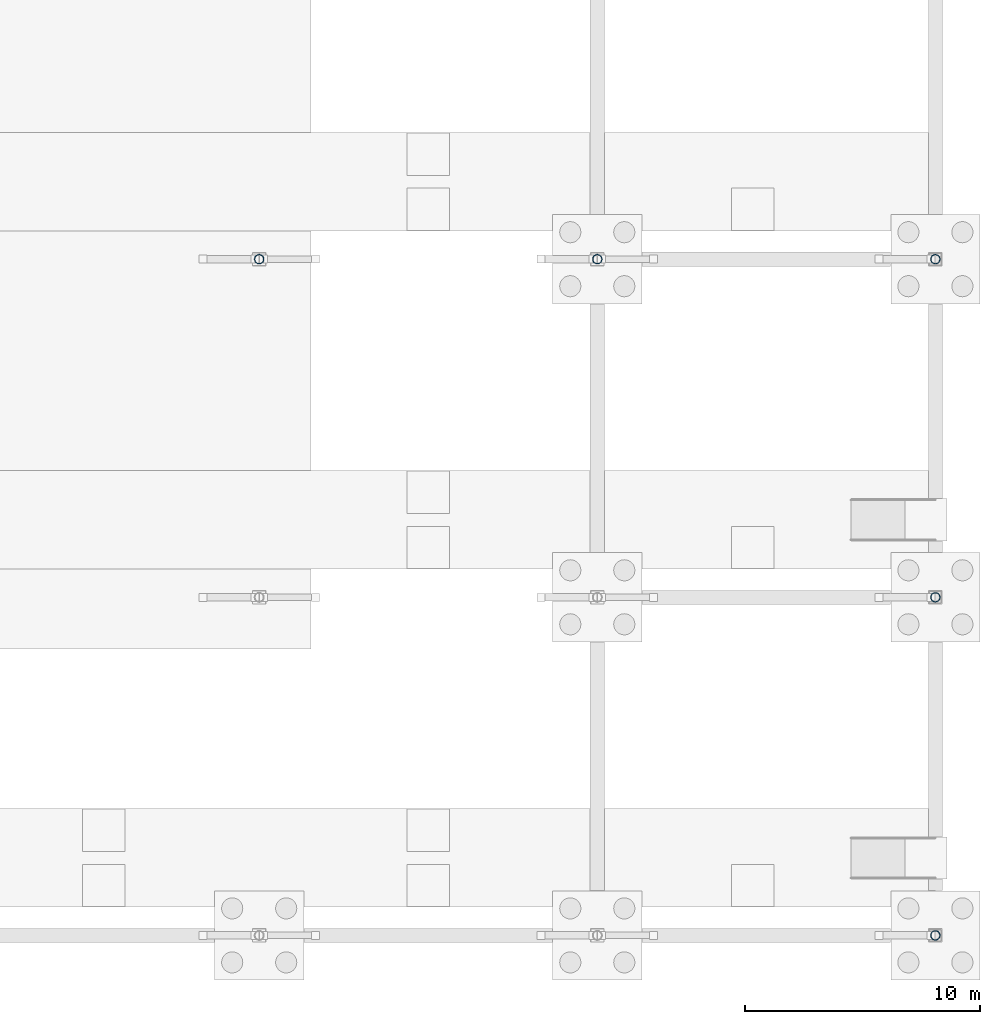
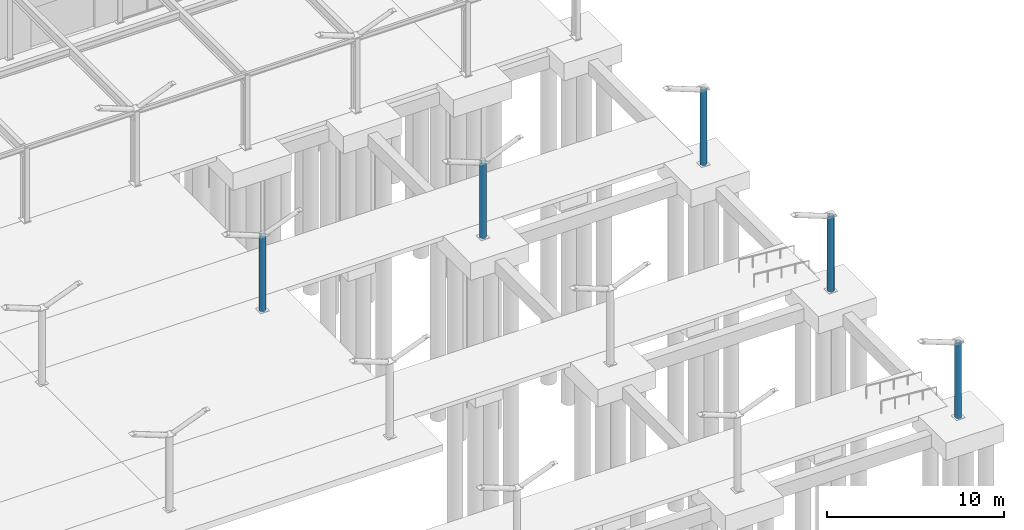
# One storey, part 16 of 75: 5 columns.
"""IFC4 building model written with IfcOpenShell, lengths in metres."""

from ifc_helpers import new_model, si_unit, direction, frame, origin, origin_2d, place, context, subcontext, project, spatial, hollow_circle, extrude, material, material_profile, profile_set, type_object, element, save


model = new_model("IFC4")

# Units and contexts
model_context = context("Model", 3, precision=1e-05, world=origin(), true_north=direction((0.0, 1.0)))
body_context = subcontext(model_context, "Body", "Model", "MODEL_VIEW")
ifc_project = project(units=[si_unit("LENGTHUNIT", "METRE"), si_unit("AREAUNIT", "SQUARE_METRE"), si_unit("VOLUMEUNIT", "CUBIC_METRE"), si_unit("PLANEANGLEUNIT", "RADIAN"), si_unit("MASSUNIT", "GRAM", prefix="KILO")], contexts=[model_context])

# Site, building, storey
site_placement = place(None, origin())
site = spatial("IfcSite", under=ifc_project, at=site_placement, CompositionType="ELEMENT")
building_placement = place(site_placement, origin())
building = spatial("IfcBuilding", under=site, at=building_placement, Name="Leyfeld Transit Interchange", CompositionType="ELEMENT")
storey_placement = place(building_placement, origin())
storey = spatial("IfcBuildingStorey", under=building, at=storey_placement, Name="L00", CompositionType="ELEMENT", Elevation=0.0)

# Columns
ifc_material = material(Name="Steel S355J2", Category="steel")
ifc_material_profile = material_profile(ifc_material, hollow_circle(Radius=0.203125, WallThickness=0.02001953125, at=origin_2d()), Name="CHS 406.4x20")
ifc_profile_set = profile_set([ifc_material_profile], Name="Steel S355J2")
column_type = type_object("IfcColumnType", Name="COL-STL-CHS406", PredefinedType="COLUMN", material=ifc_profile_set)
for number, where, z_axis, x_axis, name in (
    (1, (158.39990234375, 28.800048828125, 0.0), (0.0, 0.0, 1.0), (1.0, 0.0, 0.0), "Column COL-L00-1584_0288"),
    (2, (172.800048828125, 28.800048828125, 0.0), (0.0, 0.0, 1.0), (1.0, 0.0, 0.0), "Column COL-L00-1728_0288"),
    (3, (187.199951171875, 0.0, 0.0), (0.0, 0.0, 1.0), (1.0, 0.0, 0.0), "Column COL-L00-1872_0000"),
    (4, (187.199951171875, 14.39990234375, 0.0), (0.0, 0.0, 1.0), (1.0, 0.0, 0.0), "Column COL-L00-1872_0144"),
    (5, (187.199951171875, 28.800048828125, 0.0), (0.0, 0.0, 1.0), (1.0, 0.0, 0.0), "Column COL-L00-1872_0288"),
):
    element("IfcColumn", number, at=place(storey_placement, frame(where, z_axis=z_axis, x_axis=x_axis)), inside=storey, type_object=column_type, Name=name, PredefinedType="COLUMN", context=body_context, shape_type="SweptSolid", body=[
        extrude(hollow_circle(Radius=0.203125, WallThickness=0.02001953125, at=origin_2d()), origin(), (0.0, 0.0, 1.0), 5.199951171875),
    ])

save(model, "model.ifc")
